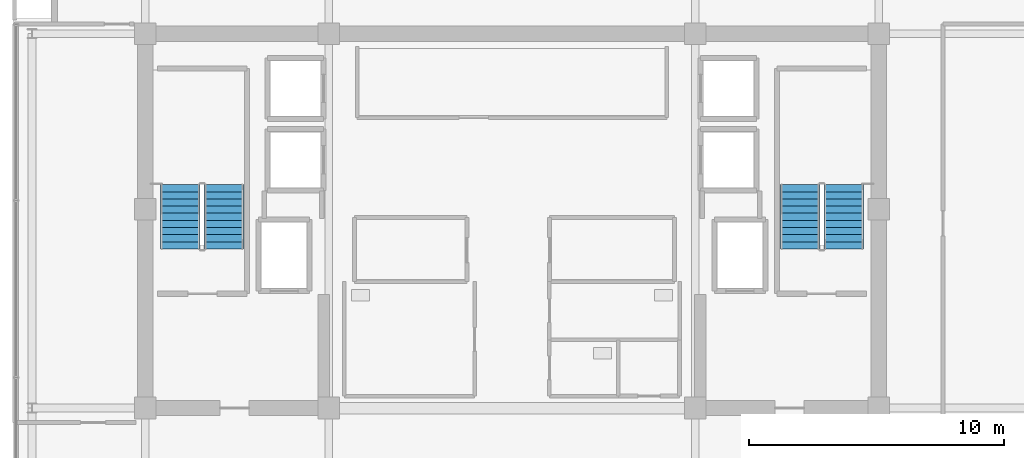
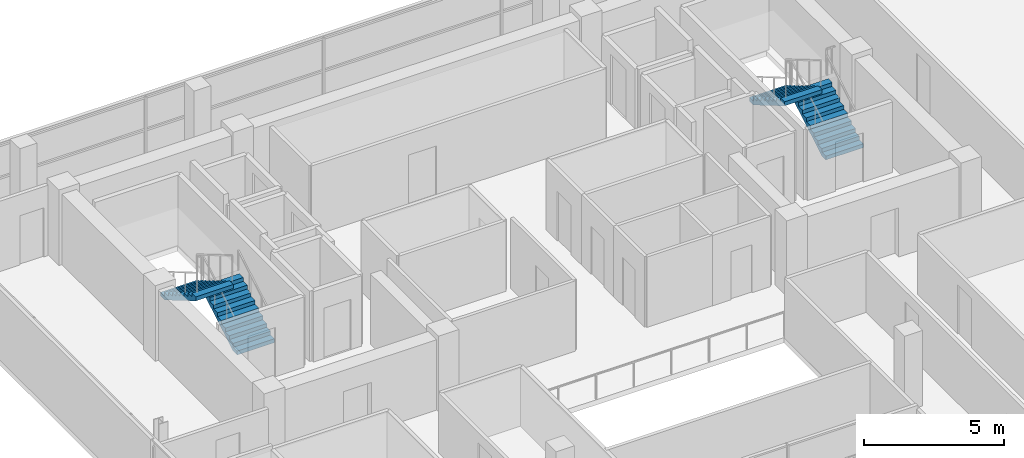
# One storey, part 18 of 22: 4 stair flights, 2 elements without a shape of their own.
"""IFC4 building model written with IfcOpenShell, lengths in metres."""

from ifc_helpers import new_model, si_unit, direction, frame, origin, place, context, subcontext, project, spatial, polyline, outline, extrude, material, type_object, element, aggregate, save


model = new_model("IFC4")

# Units and contexts
model_context = context("Model", 3, precision=1e-05, world=origin(), true_north=direction((0.0, 1.0)))
body_context = subcontext(model_context, "Body", "Model", "MODEL_VIEW")
ifc_project = project(units=[si_unit("LENGTHUNIT", "METRE"), si_unit("AREAUNIT", "SQUARE_METRE"), si_unit("VOLUMEUNIT", "CUBIC_METRE"), si_unit("PLANEANGLEUNIT", "RADIAN"), si_unit("MASSUNIT", "GRAM", prefix="KILO")], contexts=[model_context])

# Site, building, storey
site_placement = place(None, origin())
site = spatial("IfcSite", under=ifc_project, at=site_placement, CompositionType="ELEMENT")
building_placement = place(site_placement, origin())
building = spatial("IfcBuilding", under=site, at=building_placement, Name="Zarnakvel Exchange Tower", CompositionType="ELEMENT")
storey_placement = place(building_placement, frame((0.0, 0.0, 238.60009765625)))
storey = spatial("IfcBuildingStorey", under=building, at=storey_placement, Name="L67", CompositionType="ELEMENT", Elevation=238.60009765625)

# Stair, stair flights
ifc_material = material(Name="Concrete C40/50", Category="concrete")
stair_type = type_object("IfcStairType", Name="STR-01", PredefinedType="HALF_TURN_STAIR", material=ifc_material)
stair_1_placement = place(storey_placement, origin())
stair_1 = element("IfcStair", 1, at=stair_1_placement, inside=storey, type_object=stair_type, Name="L67 Protected Core Exit Stair ST-01", PredefinedType="HALF_TURN_STAIR")
stair_flight_type = type_object("IfcStairFlightType", Name="FLT-01", PredefinedType="STRAIGHT", material=ifc_material)
stair_flight_1_placement = place(storey_placement, frame((-11.31494140625, 5.050048828125, 0.0), z_axis=(0.0, 0.0, 1.0), x_axis=(0.0, 1.0, 0.0)))
stair_flight_1 = element("IfcStairFlight", 2, at=stair_flight_1_placement, type_object=stair_flight_type, Name="ST-01 flight 1", NumberOfRisers=10, NumberOfTreads=9, PredefinedType="STRAIGHT", RiserHeight=0.165, TreadLength=0.28, context=body_context, shape_type="SweptSolid", body=[
    extrude(outline(polyline([(0.0, 0.0), (0.0, 0.1650390625), (0.280029296875, 0.1650390625), (0.280029296875, 0.330078125), (0.56005859375, 0.330078125), (0.56005859375, 0.4951171875), (0.840087890625, 0.4951171875), (0.840087890625, 0.659912109375), (1.1201171875, 0.659912109375), (1.1201171875, 0.824951171875), (1.39990234375, 0.824951171875), (1.39990234375, 0.989990234375), (1.679931640625, 0.989990234375), (1.679931640625, 1.155029296875), (1.9599609375, 1.155029296875), (1.9599609375, 1.320068359375), (2.239990234375, 1.320068359375), (2.239990234375, 1.485107421875), (2.52001953125, 1.485107421875), (2.52001953125, 1.64990234375), (2.52001953125, 1.31103515625), (0.295166015625, 0.0), (0.0, 0.0)])), frame((0.0, 0.77490234375, 0.0), z_axis=(0.0, -1.0, 0.0), x_axis=(1.0, 0.0, 0.0)), (0.0, 0.0, 1.0), 1.550048828125),
])
stair_flight_2_placement = place(storey_placement, frame((-13.02490234375, 7.570068359375, 1.64990234375), z_axis=(0.0, 0.0, 1.0), x_axis=(0.0, -1.0, 0.0)))
stair_flight_2 = element("IfcStairFlight", 3, at=stair_flight_2_placement, type_object=stair_flight_type, Name="ST-01 flight 2", NumberOfRisers=10, NumberOfTreads=9, PredefinedType="STRAIGHT", RiserHeight=0.165, TreadLength=0.28, context=body_context, shape_type="SweptSolid", body=[
    extrude(outline(polyline([(0.0, 0.0), (0.0, 0.1650390625), (0.280029296875, 0.1650390625), (0.280029296875, 0.330078125), (0.56005859375, 0.330078125), (0.56005859375, 0.4951171875), (0.840087890625, 0.4951171875), (0.840087890625, 0.659912109375), (1.1201171875, 0.659912109375), (1.1201171875, 0.824951171875), (1.39990234375, 0.824951171875), (1.39990234375, 0.989990234375), (1.679931640625, 0.989990234375), (1.679931640625, 1.155029296875), (1.9599609375, 1.155029296875), (1.9599609375, 1.320068359375), (2.239990234375, 1.320068359375), (2.239990234375, 1.485107421875), (2.52001953125, 1.485107421875), (2.52001953125, 1.64990234375), (2.52001953125, 1.31103515625), (0.295166015625, 0.0), (0.0, 0.0)])), frame((0.0, 0.77490234375, 0.0), z_axis=(0.0, -1.0, 0.0), x_axis=(1.0, 0.0, 0.0)), (0.0, 0.0, 1.0), 1.550048828125),
])
aggregate(stair_1, [stair_flight_1, stair_flight_2])

stair_2_placement = place(storey_placement, origin())
stair_2 = element("IfcStair", 4, at=stair_2_placement, inside=storey, type_object=stair_type, Name="L67 Protected Core Exit Stair ST-02", PredefinedType="HALF_TURN_STAIR")
stair_flight_3_placement = place(storey_placement, frame((13.02490234375, 5.050048828125, 0.0), z_axis=(0.0, 0.0, 1.0), x_axis=(0.0, 1.0, 0.0)))
stair_flight_3 = element("IfcStairFlight", 5, at=stair_flight_3_placement, type_object=stair_flight_type, Name="ST-02 flight 1", NumberOfRisers=10, NumberOfTreads=9, PredefinedType="STRAIGHT", RiserHeight=0.165, TreadLength=0.28, context=body_context, shape_type="SweptSolid", body=[
    extrude(outline(polyline([(0.0, 0.0), (0.0, 0.1650390625), (0.280029296875, 0.1650390625), (0.280029296875, 0.330078125), (0.56005859375, 0.330078125), (0.56005859375, 0.4951171875), (0.840087890625, 0.4951171875), (0.840087890625, 0.659912109375), (1.1201171875, 0.659912109375), (1.1201171875, 0.824951171875), (1.39990234375, 0.824951171875), (1.39990234375, 0.989990234375), (1.679931640625, 0.989990234375), (1.679931640625, 1.155029296875), (1.9599609375, 1.155029296875), (1.9599609375, 1.320068359375), (2.239990234375, 1.320068359375), (2.239990234375, 1.485107421875), (2.52001953125, 1.485107421875), (2.52001953125, 1.64990234375), (2.52001953125, 1.31103515625), (0.295166015625, 0.0), (0.0, 0.0)])), frame((0.0, 0.77490234375, 0.0), z_axis=(0.0, -1.0, 0.0), x_axis=(1.0, 0.0, 0.0)), (0.0, 0.0, 1.0), 1.550048828125),
])
stair_flight_4_placement = place(storey_placement, frame((11.31494140625, 7.570068359375, 1.64990234375), z_axis=(0.0, 0.0, 1.0), x_axis=(0.0, -1.0, 0.0)))
stair_flight_4 = element("IfcStairFlight", 6, at=stair_flight_4_placement, type_object=stair_flight_type, Name="ST-02 flight 2", NumberOfRisers=10, NumberOfTreads=9, PredefinedType="STRAIGHT", RiserHeight=0.165, TreadLength=0.28, context=body_context, shape_type="SweptSolid", body=[
    extrude(outline(polyline([(0.0, 0.0), (0.0, 0.1650390625), (0.280029296875, 0.1650390625), (0.280029296875, 0.330078125), (0.56005859375, 0.330078125), (0.56005859375, 0.4951171875), (0.840087890625, 0.4951171875), (0.840087890625, 0.659912109375), (1.1201171875, 0.659912109375), (1.1201171875, 0.824951171875), (1.39990234375, 0.824951171875), (1.39990234375, 0.989990234375), (1.679931640625, 0.989990234375), (1.679931640625, 1.155029296875), (1.9599609375, 1.155029296875), (1.9599609375, 1.320068359375), (2.239990234375, 1.320068359375), (2.239990234375, 1.485107421875), (2.52001953125, 1.485107421875), (2.52001953125, 1.64990234375), (2.52001953125, 1.31103515625), (0.295166015625, 0.0), (0.0, 0.0)])), frame((0.0, 0.77490234375, 0.0), z_axis=(0.0, -1.0, 0.0), x_axis=(1.0, 0.0, 0.0)), (0.0, 0.0, 1.0), 1.550048828125),
])
aggregate(stair_2, [stair_flight_3, stair_flight_4])

save(model, "model.ifc")
